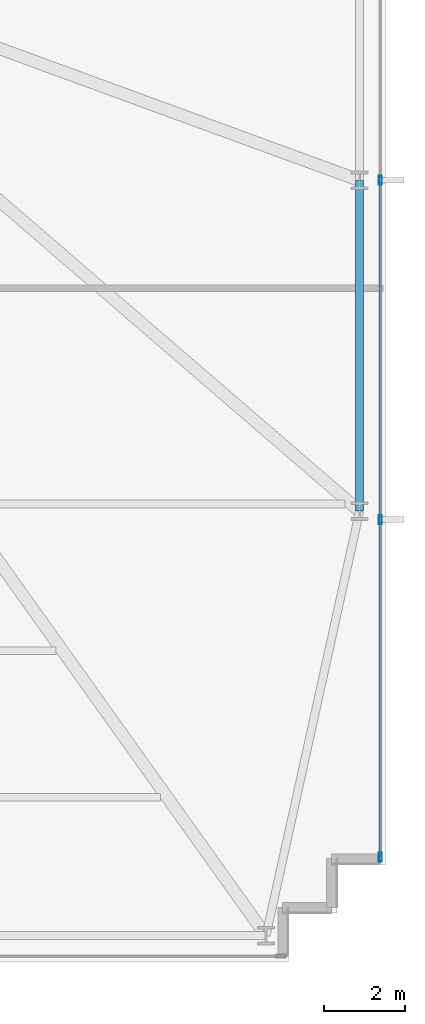
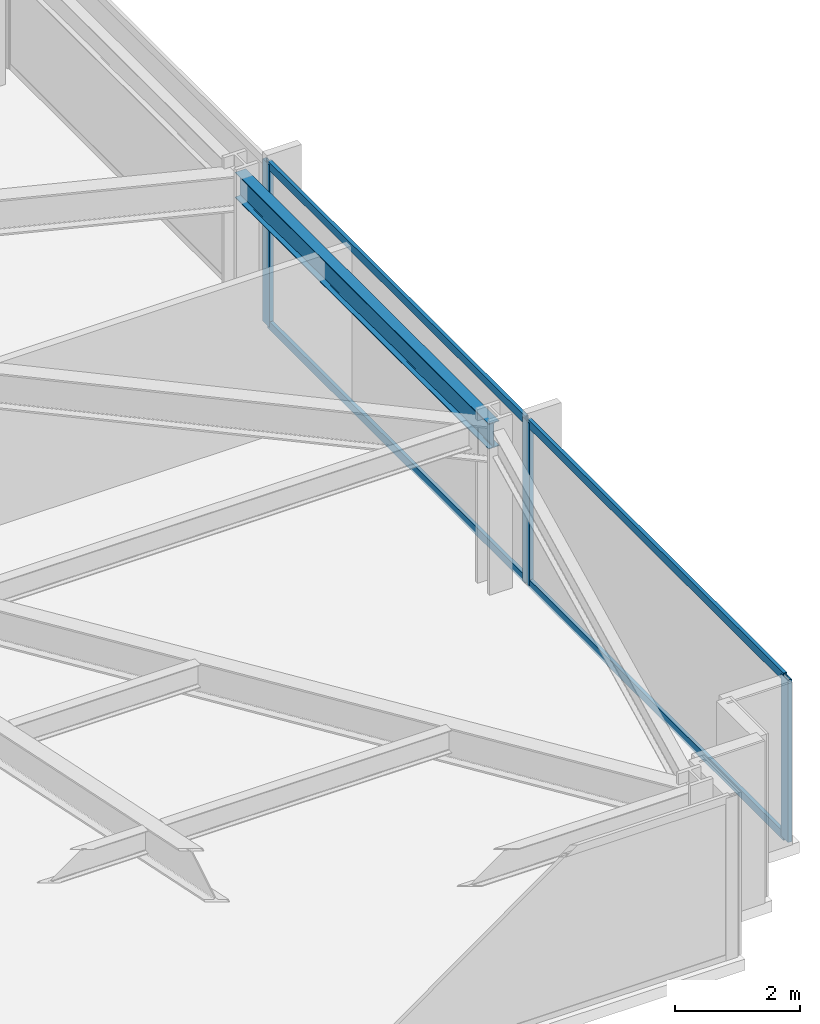
# One storey, part 22 of 32: 7 members, 1 beam, 1 element without a shape of its own.
"""IFC4 building model written with IfcOpenShell, lengths in metres."""

from ifc_helpers import new_model, si_unit, direction, frame, origin, origin_2d, place, context, subcontext, project, spatial, hollow_rectangle, i_section, extrude, material, material_profile, profile_set, type_object, element, aggregate, save


model = new_model("IFC4")

# Units and contexts
model_context = context("Model", 3, precision=1e-05, world=origin(), true_north=direction((0.0, 1.0)))
body_context = subcontext(model_context, "Body", "Model", "MODEL_VIEW")
ifc_project = project(units=[si_unit("LENGTHUNIT", "METRE"), si_unit("AREAUNIT", "SQUARE_METRE"), si_unit("VOLUMEUNIT", "CUBIC_METRE"), si_unit("PLANEANGLEUNIT", "RADIAN"), si_unit("MASSUNIT", "GRAM", prefix="KILO")], contexts=[model_context])

# Site, building, storey
site_placement = place(None, origin())
site = spatial("IfcSite", under=ifc_project, at=site_placement, CompositionType="ELEMENT")
building_placement = place(site_placement, origin())
building = spatial("IfcBuilding", under=site, at=building_placement, Name="Yelkora Congress Tower", CompositionType="ELEMENT")
storey_placement = place(building_placement, frame((0.0, 0.0, 57.60009765625)))
storey = spatial("IfcBuildingStorey", under=building, at=storey_placement, Name="L14", CompositionType="ELEMENT", Elevation=57.60009765625)

# Beam
ifc_material_1 = material(Name="Steel S355J2", Category="steel")
ifc_material_profile_1 = material_profile(ifc_material_1, i_section(OverallWidth=0.199951171875, OverallDepth=0.5, WebThickness=0.01025390625, FlangeThickness=0.01611328125, FilletRadius=0.02099609375, at=origin_2d()), Name="IPE 500")
ifc_profile_set_1 = profile_set([ifc_material_profile_1], Name="Steel S355J2")
beam_type = type_object("IfcBeamType", Name="BM-SPAN-IPE500", PredefinedType="SPANDREL", material=ifc_profile_set_1)
beam_placement = place(storey_placement, frame((70.14990234375, 21.27490234375, 2.929931640625), z_axis=(0.0, 1.0, 0.0), x_axis=(-1.0, 0.0, 0.0)))
element("IfcBeam", 1, at=beam_placement, inside=storey, type_object=beam_type, Name="L14 Perimeter Beam 11", PredefinedType="SPANDREL", context=body_context, shape_type="SweptSolid", body=[
    extrude(i_section(OverallWidth=0.199951171875, OverallDepth=0.5, WebThickness=0.01025390625, FlangeThickness=0.01611328125, FilletRadius=0.02099609375, at=origin_2d()), origin(), (0.0, 0.0, 1.0), 8.125),
])

# Curtain wall, members
ifc_material_2 = material(Name="Anodised aluminium and insulated glass", Category="aluminium")
curtain_wall_type = type_object("IfcCurtainWallType", Name="CW-SYS-B1", PredefinedType="NOTDEFINED", material=ifc_material_2)
curtain_wall_placement = place(storey_placement, origin())
curtain_wall = element("IfcCurtainWall", 2, at=curtain_wall_placement, inside=storey, type_object=curtain_wall_type, Name="L14 Unitised Curtain Wall 15", PredefinedType="NOTDEFINED")
ifc_material_3 = material(Name="Anodised aluminium 6063-T6", Category="aluminium")
ifc_material_profile_2 = material_profile(ifc_material_3, hollow_rectangle(XDim=0.074951171875, YDim=0.219970703125, WallThickness=0.0048828125, at=origin_2d()), Name="ALU 75x220x5")
ifc_profile_set_2 = profile_set([ifc_material_profile_2], Name="Anodised aluminium 6063-T6")
member_type_1 = type_object("IfcMemberType", Name="MEM-ML-B1", PredefinedType="MULLION", material=ifc_profile_set_2)
member_1_placement = place(storey_placement, frame((70.659912109375, 29.39990234375, 0.0), z_axis=(0.0, 0.0, 1.0), x_axis=(1.0, 0.0, 0.0)))
member_1 = element("IfcMember", 3, at=member_1_placement, type_object=member_type_1, Name="CW-B1 mullion 3", PredefinedType="MULLION", context=body_context, shape_type="SweptSolid", body=[
    extrude(hollow_rectangle(XDim=0.074951171875, YDim=0.219970703125, WallThickness=0.0048828125, at=origin_2d()), origin(), (0.0, 0.0, 1.0), 3.179931640625),
])
member_2_placement = place(storey_placement, frame((70.659912109375, 21.070068359375, 0.0), z_axis=(0.0, 0.0, 1.0), x_axis=(1.0, 0.0, 0.0)))
member_2 = element("IfcMember", 4, at=member_2_placement, type_object=member_type_1, Name="CW-B1 mullion 4", PredefinedType="MULLION", context=body_context, shape_type="SweptSolid", body=[
    extrude(hollow_rectangle(XDim=0.074951171875, YDim=0.219970703125, WallThickness=0.0048828125, at=origin_2d()), origin(), (0.0, 0.0, 1.0), 3.179931640625),
])
member_3_placement = place(storey_placement, frame((70.659912109375, 12.777587890625, 0.0), z_axis=(0.0, 0.0, 1.0), x_axis=(1.0, 0.0, 0.0)))
member_3 = element("IfcMember", 5, at=member_3_placement, type_object=member_type_1, Name="CW-B1 mullion 5", PredefinedType="MULLION", context=body_context, shape_type="SweptSolid", body=[
    extrude(hollow_rectangle(XDim=0.074951171875, YDim=0.219970703125, WallThickness=0.0048828125, at=origin_2d()), origin(), (0.0, 0.0, 1.0), 3.179931640625),
])
ifc_material_profile_3 = material_profile(ifc_material_3, hollow_rectangle(XDim=0.06494140625, YDim=0.159912109375, WallThickness=0.00390625, at=origin_2d()), Name="ALU 65x160x4")
ifc_profile_set_3 = profile_set([ifc_material_profile_3], Name="Anodised aluminium 6063-T6")
member_type_2 = type_object("IfcMemberType", Name="MEM-TR-B1", PredefinedType="USERDEFINED", material=ifc_profile_set_3)
member_4_placement = place(storey_placement, frame((70.659912109375, 29.362548828125, 0.032470703125), z_axis=(0.0, -1.0, 0.0), x_axis=(1.0, 0.0, 0.0)))
member_4 = element("IfcMember", 6, at=member_4_placement, type_object=member_type_2, Name="CW-B1 transom 3.1", ObjectType="TRANSOM", PredefinedType="USERDEFINED", context=body_context, shape_type="SweptSolid", body=[
    extrude(hollow_rectangle(XDim=0.06494140625, YDim=0.159912109375, WallThickness=0.00390625, at=origin_2d()), origin(), (0.0, 0.0, 1.0), 8.255126953125),
])
member_5_placement = place(storey_placement, frame((70.659912109375, 29.362548828125, 3.1474609375), z_axis=(0.0, -1.0, 0.0), x_axis=(1.0, 0.0, 0.0)))
member_5 = element("IfcMember", 7, at=member_5_placement, type_object=member_type_2, Name="CW-B1 transom 3.2", ObjectType="TRANSOM", PredefinedType="USERDEFINED", context=body_context, shape_type="SweptSolid", body=[
    extrude(hollow_rectangle(XDim=0.06494140625, YDim=0.159912109375, WallThickness=0.00390625, at=origin_2d()), origin(), (0.0, 0.0, 1.0), 8.255126953125),
])
member_6_placement = place(storey_placement, frame((70.659912109375, 21.032470703125, 0.032470703125), z_axis=(0.0, -1.0, 0.0), x_axis=(1.0, 0.0, 0.0)))
member_6 = element("IfcMember", 8, at=member_6_placement, type_object=member_type_2, Name="CW-B1 transom 4.1", ObjectType="TRANSOM", PredefinedType="USERDEFINED", context=body_context, shape_type="SweptSolid", body=[
    extrude(hollow_rectangle(XDim=0.06494140625, YDim=0.159912109375, WallThickness=0.00390625, at=origin_2d()), origin(), (0.0, 0.0, 1.0), 8.217529296875),
])
member_7_placement = place(storey_placement, frame((70.659912109375, 21.032470703125, 3.1474609375), z_axis=(0.0, -1.0, 0.0), x_axis=(1.0, 0.0, 0.0)))
member_7 = element("IfcMember", 9, at=member_7_placement, type_object=member_type_2, Name="CW-B1 transom 4.2", ObjectType="TRANSOM", PredefinedType="USERDEFINED", context=body_context, shape_type="SweptSolid", body=[
    extrude(hollow_rectangle(XDim=0.06494140625, YDim=0.159912109375, WallThickness=0.00390625, at=origin_2d()), origin(), (0.0, 0.0, 1.0), 8.217529296875),
])
aggregate(curtain_wall, [member_1, member_2, member_3, member_4, member_5, member_6, member_7])

save(model, "model.ifc")
